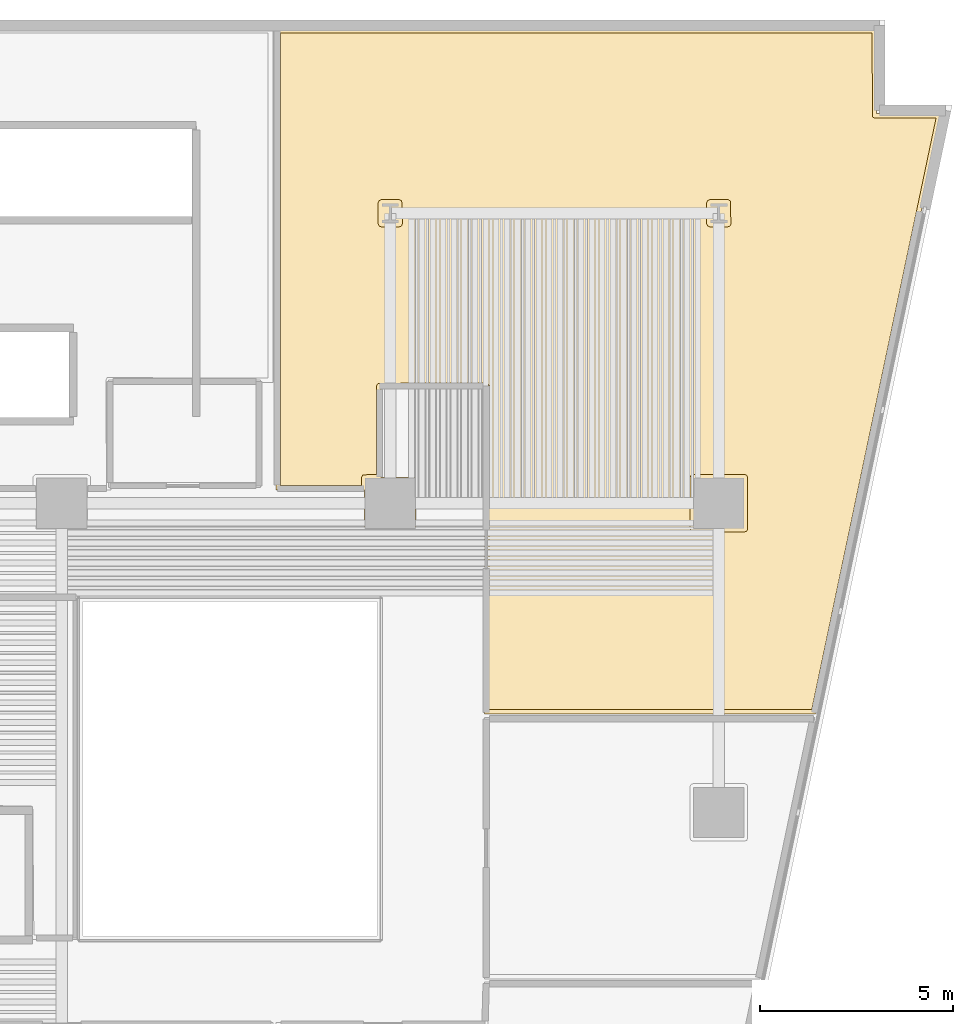
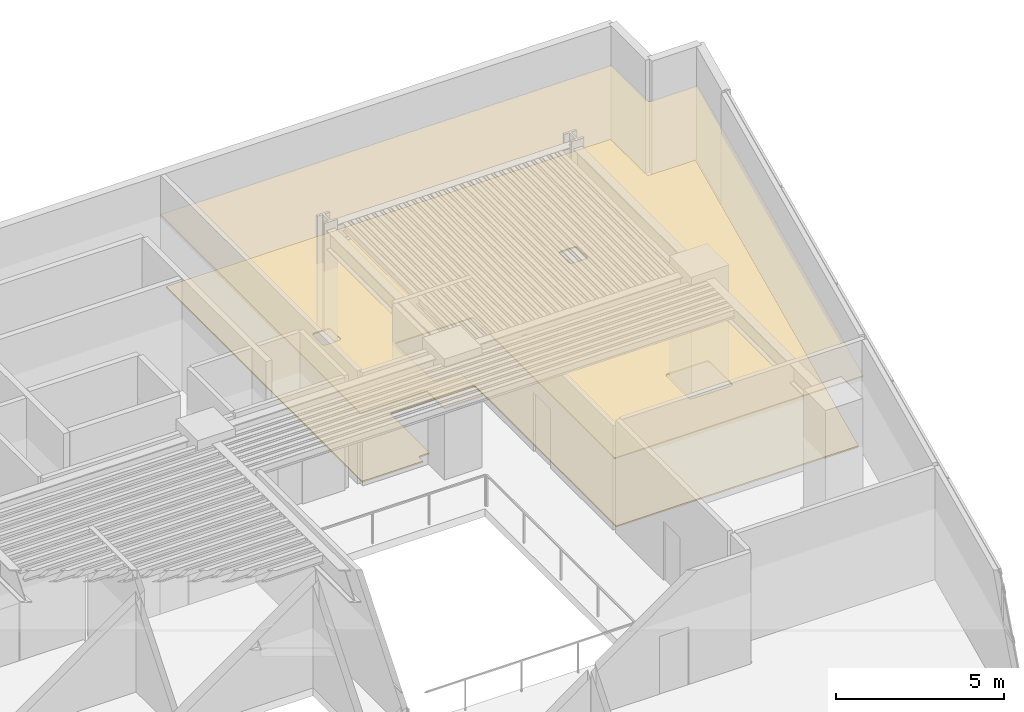
# One storey, part 12 of 12: 2 coverings.
"""IFC4 building model written with IfcOpenShell, lengths in metres."""

from ifc_helpers import new_model, si_unit, direction, frame, origin, place, context, subcontext, project, spatial, polyline, outline, extrude, material, layer, layer_set, type_object, element, save


model = new_model("IFC4")

# Units and contexts
model_context = context("Model", 3, precision=1e-05, world=origin(), true_north=direction((0.0, 1.0)))
body_context = subcontext(model_context, "Body", "Model", "MODEL_VIEW")
ifc_project = project(units=[si_unit("LENGTHUNIT", "METRE"), si_unit("AREAUNIT", "SQUARE_METRE"), si_unit("VOLUMEUNIT", "CUBIC_METRE"), si_unit("PLANEANGLEUNIT", "RADIAN"), si_unit("MASSUNIT", "GRAM", prefix="KILO")], contexts=[model_context])

# Site, building, storey
site_placement = place(None, origin())
site = spatial("IfcSite", under=ifc_project, at=site_placement, CompositionType="ELEMENT")
building_placement = place(site_placement, origin())
building = spatial("IfcBuilding", under=site, at=building_placement, Name="Caeloran Harvest Quay", CompositionType="ELEMENT")
storey_placement = place(building_placement, frame((0.0, 0.0, 88.60009765625)))
storey = spatial("IfcBuildingStorey", under=building, at=storey_placement, Name="L20", CompositionType="ELEMENT", Elevation=88.60009765625)

# Coverings
ifc_material_1 = material(Name="Perforated Mineral-Fibre Acoustic Ceiling Tile", Category="ceiling")
ifc_layer_1 = layer(ifc_material_1, 0.0400390625, Name="Perforated Mineral-Fibre Acoustic Ceiling Tile")
ifc_layer_set_1 = layer_set([ifc_layer_1], Name="Perforated Mineral-Fibre Acoustic Ceiling Tile")
covering_type_1 = type_object("IfcCoveringType", Name="COV-CEILING-ACOUSTIC", PredefinedType="CEILING", material=ifc_layer_set_1)
covering_1_placement = place(storey_placement, frame((0.0, 0.0, 2.599853515625)))
element("IfcCovering", 1, at=covering_1_placement, inside=storey, type_object=covering_type_1, Name="Gastronomy Seminar Room 11 Acoustic Ceiling", PredefinedType="CEILING", context=body_context, shape_type="SweptSolid", body=[
    extrude(outline(polyline([(41.830078125, 31.340087890625), (39.5400390625, 31.340087890625), (39.5400390625, 43.280029296875), (55.080078125, 43.280029296875), (55.080078125, 41.080078125), (56.766845703125, 41.080078125), (53.502197265625, 25.5400390625), (44.93994140625, 25.5400390625), (44.93994140625, 33.989990234375), (42.260009765625, 33.989990234375), (42.260009765625, 31.669921875), (43.169921875, 31.669921875), (43.169921875, 30.330078125), (41.830078125, 30.330078125), (41.830078125, 31.340087890625)])), origin(), (0.0, 0.0, 1.0), 0.0400390625),
])
ifc_material_2 = material(Name="Calcium-Sulphate Raised Access Floor and Terrazzo Finish", Category="flooring")
ifc_layer_2 = layer(ifc_material_2, 0.050048828125, Name="Calcium-Sulphate Raised Access Floor and Terrazzo Finish")
ifc_layer_set_2 = layer_set([ifc_layer_2], Name="Calcium-Sulphate Raised Access Floor and Terrazzo Finish")
covering_type_2 = type_object("IfcCoveringType", Name="COV-FLOOR-RAISED", PredefinedType="FLOORING", material=ifc_layer_set_2)
covering_2_placement = place(storey_placement, origin())
element("IfcCovering", 2, at=covering_2_placement, inside=storey, type_object=covering_type_2, Name="Gastronomy Seminar Room 11 Raised Finish Flooring", PredefinedType="FLOORING", context=body_context, shape_type="SweptSolid", body=[
    extrude(outline(polyline([(54.9599609375, 43.159912109375), (54.978271484375, 40.9892578125), (55.0400390625, 40.9599609375), (56.618896484375, 40.9599609375), (53.40478515625, 25.659912109375), (45.06005859375, 25.659912109375), (45.06005859375, 34.030029296875), (45.03662109375, 34.086669921875), (44.97998046875, 34.110107421875), (42.182373046875, 34.1005859375), (42.139892578125, 34.030029296875), (42.139892578125, 31.7451171875), (41.79052734375, 31.7314453125), (41.75537109375, 31.6728515625), (41.7548828125, 31.4599609375), (39.659912109375, 31.4599609375), (39.659912109375, 43.159912109375), (54.9599609375, 43.159912109375)]), holes=[polyline([(51.7451171875, 31.6650390625), (51.7216796875, 31.7216796875), (51.6650390625, 31.7451171875), (50.3349609375, 31.7451171875), (50.2783203125, 31.7216796875), (50.2548828125, 31.6650390625), (50.2548828125, 30.3349609375), (50.2783203125, 30.2783203125), (50.3349609375, 30.2548828125), (51.6650390625, 30.2548828125), (51.7216796875, 30.2783203125), (51.7451171875, 30.3349609375), (51.7451171875, 31.6650390625)]), polyline([(51.3134765625, 38.22802734375), (51.29541015625, 38.82275390625), (51.2412109375, 38.8515625), (50.7666015625, 38.85205078125), (50.7099609375, 38.82861328125), (50.6865234375, 38.77197265625), (50.6865234375, 38.22802734375), (50.7099609375, 38.17138671875), (50.7666015625, 38.14794921875), (51.2333984375, 38.14794921875), (51.2900390625, 38.17138671875), (51.3134765625, 38.22802734375)]), polyline([(42.8134765625, 38.22802734375), (42.79541015625, 38.82275390625), (42.7412109375, 38.8515625), (42.2666015625, 38.85205078125), (42.2099609375, 38.82861328125), (42.1865234375, 38.77197265625), (42.1865234375, 38.22802734375), (42.2099609375, 38.17138671875), (42.2666015625, 38.14794921875), (42.7333984375, 38.14794921875), (42.7900390625, 38.17138671875), (42.8134765625, 38.22802734375)])]), origin(), (0.0, 0.0, 1.0), 0.0498046875),
])

save(model, "model.ifc")
